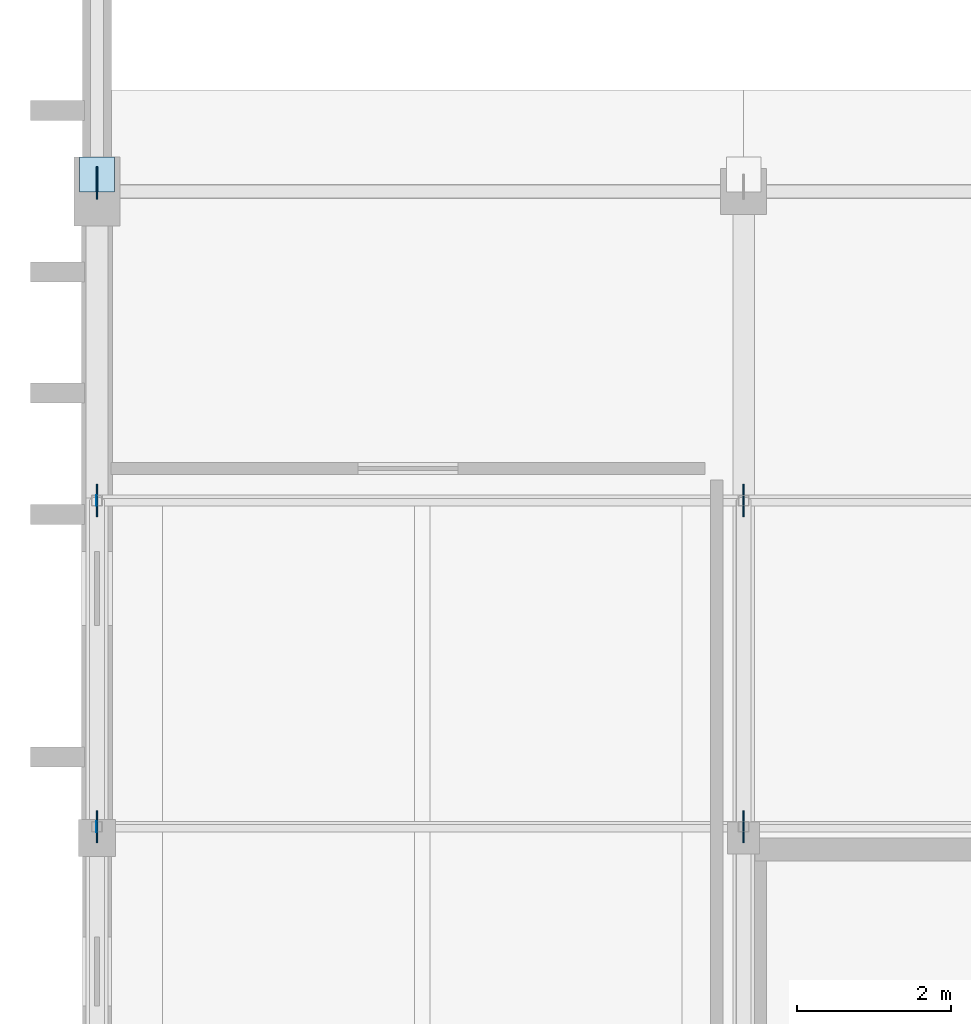
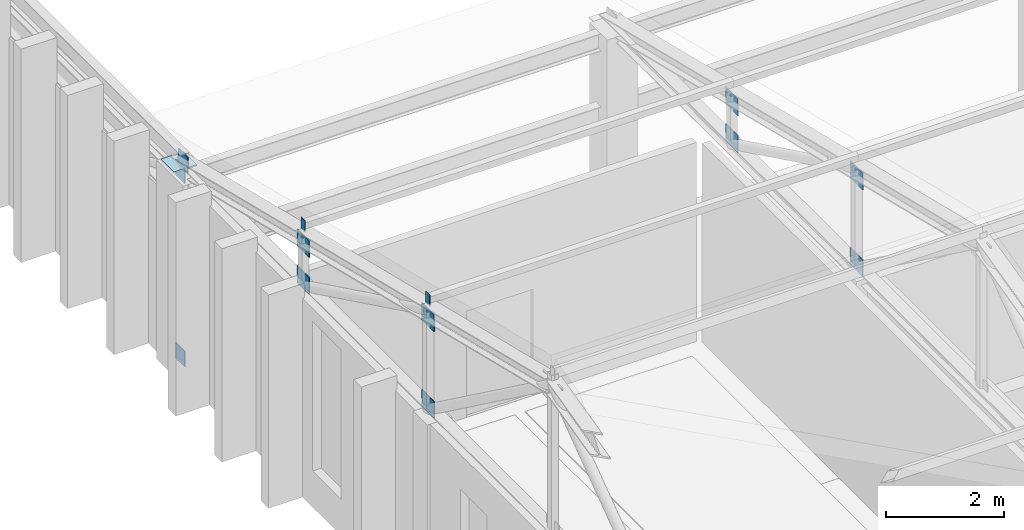
# One storey, part 132 of 192: 14 plates.
"""IFC4 building model written with IfcOpenShell, lengths in metres."""

from ifc_helpers import new_model, si_unit, direction, frame, origin, origin_2d, place, context, subcontext, project, spatial, rectangle, extrude, material, layer, layer_set, type_object, element, save


model = new_model("IFC4")

# Units and contexts
model_context = context("Model", 3, precision=1e-05, world=origin(), true_north=direction((0.0, 1.0)))
body_context = subcontext(model_context, "Body", "Model", "MODEL_VIEW")
ifc_project = project(units=[si_unit("LENGTHUNIT", "METRE"), si_unit("AREAUNIT", "SQUARE_METRE"), si_unit("VOLUMEUNIT", "CUBIC_METRE"), si_unit("PLANEANGLEUNIT", "RADIAN"), si_unit("MASSUNIT", "GRAM", prefix="KILO")], contexts=[model_context])

# Site, building, storey
site_placement = place(None, origin())
site = spatial("IfcSite", under=ifc_project, at=site_placement, CompositionType="ELEMENT")
building_placement = place(site_placement, origin())
building = spatial("IfcBuilding", under=site, at=building_placement, Name="Kveldsbrygga Polytechnic", CompositionType="ELEMENT")
storey_placement = place(building_placement, frame((0.0, 0.0, 5.43994140625)))
storey = spatial("IfcBuildingStorey", under=building, at=storey_placement, Name="L01", CompositionType="ELEMENT", Elevation=5.43994140625)

# Plates
ifc_material = material(Name="Steel S355", Category="steel")
ifc_layer_1 = layer(ifc_material, 0.030029296875)
ifc_layer_set_1 = layer_set([ifc_layer_1], Name="Steel S355")
plate_type_1 = type_object("IfcPlateType", Name="CAP-BEAR-450", PredefinedType="SHEET", material=ifc_layer_set_1)
plate_placement = place(storey_placement, frame((0.0, 25.419921875, 4.08984375), z_axis=(0.0, 0.0, 1.0), x_axis=(1.0, 0.0, 0.0)))
element("IfcPlate", 1, at=plate_placement, inside=storey, type_object=plate_type_1, Name="Truss Bearing Plate V5S-T01-B", PredefinedType="SHEET", context=body_context, shape_type="SweptSolid", body=[
    extrude(rectangle(XDim=0.449951171875, YDim=0.449951171875, at=origin_2d()), origin(), (0.0, 0.0, 1.0), 0.030029296875),
])
ifc_layer_2 = layer(ifc_material, 0.011962890625)
ifc_layer_set_2 = layer_set([ifc_layer_2], Name="Steel S355")
plate_type_2 = type_object("IfcPlateType", Name="CAP-PRL-200", PredefinedType="SHEET", material=ifc_layer_set_2)
for number, where, z_axis, x_axis, name in (
    (2, (-0.006103515625, 16.94677734375, 6.3037109375), (0.0, 0.0, 1.0), (1.0, 0.0, 0.0), "Purlin End Cap Plate V5S-EP-A-4"),
    (3, (-0.006103515625, 21.183349609375, 5.27001953125), (0.0, 0.0, 1.0), (1.0, 0.0, 0.0), "Purlin End Cap Plate V5S-EP-A-5"),
):
    element("IfcPlate", number, at=place(storey_placement, frame(where, z_axis=z_axis, x_axis=x_axis)), inside=storey, type_object=plate_type_2, Name=name, PredefinedType="SHEET", context=body_context, shape_type="SweptSolid", body=[
        extrude(rectangle(XDim=0.011962890625, YDim=0.139892578125, at=origin_2d()), origin(), (0.0, 0.0, 1.0), 0.239990234375),
    ])
ifc_layer_3 = layer(ifc_material, 0.01806640625)
ifc_layer_set_3 = layer_set([ifc_layer_3], Name="Steel S355")
plate_type_3 = type_object("IfcPlateType", Name="GUS-BRACE-320", PredefinedType="SHEET", material=ifc_layer_set_3)
for number, where, z_axis, x_axis, name in (
    (4, (0.0, 25.260009765625, 4.080078125), (0.0, 0.0, 1.0), (1.0, 0.0, 0.0), "Truss Eaves Node Gusset V5S-T01-EGP-B"),
    (5, (0.0, 25.360107421875, 0.0), (0.0, 0.0, 1.0), (1.0, 0.0, 0.0), "Portal Brace End Gusset XGP-VBR-L01-W-3-1"),
    (6, (0.0, 25.360107421875, 3.7998046875), (0.0, 0.0, 1.0), (1.0, 0.0, 0.0), "Portal Brace End Gusset XGP-VBR-L01-W-3-4"),
):
    element("IfcPlate", number, at=place(storey_placement, frame(where, z_axis=z_axis, x_axis=x_axis)), inside=storey, type_object=plate_type_3, Name=name, PredefinedType="SHEET", context=body_context, shape_type="SweptSolid", body=[
        extrude(rectangle(XDim=0.01806640625, YDim=0.320068359375, at=origin_2d()), origin(), (0.0, 0.0, 1.0), 0.320068359375),
    ])
ifc_layer_4 = layer(ifc_material, 0.02001953125)
ifc_layer_set_4 = layer_set([ifc_layer_4], Name="Steel S355")
plate_type_4 = type_object("IfcPlateType", Name="GUS-LECT-420", PredefinedType="SHEET", material=ifc_layer_set_4)
for number, where, z_axis, x_axis, name in (
    (7, (0.0, 16.94677734375, 5.861572265625), (0.0, 0.0, 1.0), (1.0, 0.0, 0.0), "Truss Gusset Plate V5S-T01-GP-4"),
    (8, (0.0, 16.94677734375, 4.06494140625), (0.0, 0.0, 1.0), (1.0, 0.0, 0.0), "Truss Bottom-Chord Node Gusset V5S-T01-BGP-4"),
    (9, (0.0, 21.183349609375, 4.828369140625), (0.0, 0.0, 1.0), (1.0, 0.0, 0.0), "Truss Gusset Plate V5S-T01-GP-5"),
    (10, (0.0, 21.183349609375, 4.06494140625), (0.0, 0.0, 1.0), (1.0, 0.0, 0.0), "Truss Bottom-Chord Node Gusset V5S-T01-BGP-5"),
    (11, (8.39990234375, 16.94677734375, 5.861572265625), (0.0, 0.0, 1.0), (1.0, 0.0, 0.0), "Truss Gusset Plate V5S-T02-GP-4"),
    (12, (8.39990234375, 16.94677734375, 4.06494140625), (0.0, 0.0, 1.0), (1.0, 0.0, 0.0), "Truss Bottom-Chord Node Gusset V5S-T02-BGP-4"),
    (13, (8.39990234375, 21.183349609375, 4.828369140625), (0.0, 0.0, 1.0), (1.0, 0.0, 0.0), "Truss Gusset Plate V5S-T02-GP-5"),
    (14, (8.39990234375, 21.183349609375, 4.06494140625), (0.0, 0.0, 1.0), (1.0, 0.0, 0.0), "Truss Bottom-Chord Node Gusset V5S-T02-BGP-5"),
):
    element("IfcPlate", number, at=place(storey_placement, frame(where, z_axis=z_axis, x_axis=x_axis)), inside=storey, type_object=plate_type_4, Name=name, PredefinedType="SHEET", context=body_context, shape_type="SweptSolid", body=[
        extrude(rectangle(XDim=0.02001953125, YDim=0.419921875, at=origin_2d()), origin(), (0.0, 0.0, 1.0), 0.35009765625),
    ])

save(model, "model.ifc")
